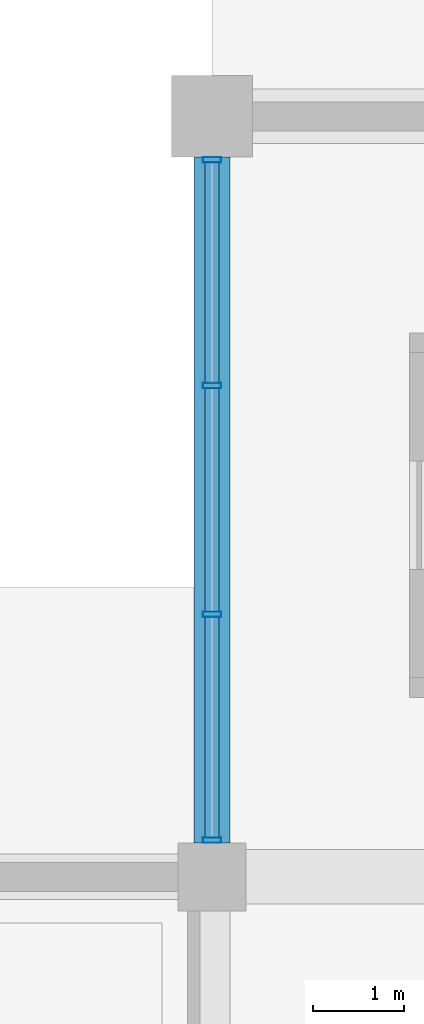
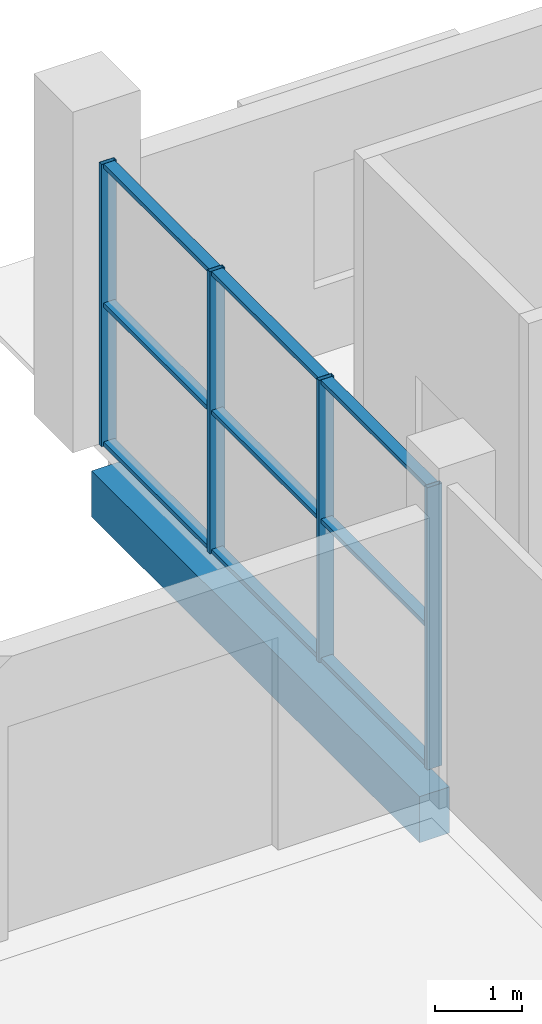
# One storey, part 38 of 130: 13 members, 1 beam, 1 element without a shape of its own.
"""IFC4 building model written with IfcOpenShell, lengths in metres."""

from ifc_helpers import new_model, si_unit, direction, frame, origin, origin_2d, place, context, subcontext, project, spatial, rectangle, hollow_rectangle, extrude, material, material_profile, profile_set, type_object, element, aggregate, save


model = new_model("IFC4")

# Units and contexts
model_context = context("Model", 3, precision=1e-05, world=origin(), true_north=direction((0.0, 1.0)))
body_context = subcontext(model_context, "Body", "Model", "MODEL_VIEW")
ifc_project = project(units=[si_unit("LENGTHUNIT", "METRE"), si_unit("AREAUNIT", "SQUARE_METRE"), si_unit("VOLUMEUNIT", "CUBIC_METRE"), si_unit("PLANEANGLEUNIT", "RADIAN"), si_unit("MASSUNIT", "GRAM", prefix="KILO"), si_unit("THERMODYNAMICTEMPERATUREUNIT", "KELVIN")], contexts=[model_context])

# Site, building, storey
site_placement = place(None, origin())
site = spatial("IfcSite", under=ifc_project, at=site_placement, CompositionType="ELEMENT")
building_placement = place(site_placement, origin())
building = spatial("IfcBuilding", under=site, at=building_placement, Name="Nduvali Passage Aquatics Centre", CompositionType="ELEMENT")
storey_placement = place(building_placement, origin())
storey = spatial("IfcBuildingStorey", under=building, at=storey_placement, Name="L00", CompositionType="ELEMENT", Elevation=0.0)

# Curtain wall, members
ifc_material_1 = material(Name="Aluminium EN AW-6063 T6", Category="aluminium")
curtain_wall_type = type_object("IfcCurtainWallType", Name="ENV-CW-HALL", PredefinedType="NOTDEFINED", material=ifc_material_1)
curtain_wall_placement = place(storey_placement, origin())
curtain_wall = element("IfcCurtainWall", 1, at=curtain_wall_placement, inside=storey, type_object=curtain_wall_type, Name="L00 West Pool Hall Lower Glazing 011", PredefinedType="NOTDEFINED")
ifc_material_profile_1 = material_profile(ifc_material_1, hollow_rectangle(XDim=0.06005859375, YDim=0.199951171875, WallThickness=0.00390625, at=origin_2d()), Name="ALU MULLION 60x200x4")
ifc_profile_set_1 = profile_set([ifc_material_profile_1], Name="Aluminium EN AW-6063 T6")
member_type_1 = type_object("IfcMemberType", Name="ENV-MEM-MUL80", PredefinedType="MULLION", material=ifc_profile_set_1)
member_1_placement = place(storey_placement, frame((25.199951171875, 84.405029296875, 0.0), z_axis=(0.0, 0.0, 1.0), x_axis=(0.0, 1.0, 0.0)))
member_1 = element("IfcMember", 2, at=member_1_placement, type_object=member_type_1, Name="West Pool Hall Lower Glazing Mullion 1", PredefinedType="MULLION", context=body_context, shape_type="SweptSolid", body=[
    extrude(hollow_rectangle(XDim=0.06005859375, YDim=0.199951171875, WallThickness=0.00390625, at=origin_2d()), origin(), (0.0, 0.0, 1.0), 3.976318359375),
])
member_2_placement = place(storey_placement, frame((25.199951171875, 86.89990234375, 0.0), z_axis=(0.0, 0.0, 1.0), x_axis=(0.0, 1.0, 0.0)))
member_2 = element("IfcMember", 3, at=member_2_placement, type_object=member_type_1, Name="West Pool Hall Lower Glazing Mullion 2", PredefinedType="MULLION", context=body_context, shape_type="SweptSolid", body=[
    extrude(hollow_rectangle(XDim=0.06005859375, YDim=0.199951171875, WallThickness=0.00390625, at=origin_2d()), origin(), (0.0, 0.0, 1.0), 3.976318359375),
])
member_3_placement = place(storey_placement, frame((25.199951171875, 89.425048828125, 0.0), z_axis=(0.0, 0.0, 1.0), x_axis=(0.0, 1.0, 0.0)))
member_3 = element("IfcMember", 4, at=member_3_placement, type_object=member_type_1, Name="West Pool Hall Lower Glazing Mullion 3", PredefinedType="MULLION", context=body_context, shape_type="SweptSolid", body=[
    extrude(hollow_rectangle(XDim=0.06005859375, YDim=0.199951171875, WallThickness=0.00390625, at=origin_2d()), origin(), (0.0, 0.0, 1.0), 3.976318359375),
])
member_4_placement = place(storey_placement, frame((25.199951171875, 91.919921875, 0.0), z_axis=(0.0, 0.0, 1.0), x_axis=(0.0, 1.0, 0.0)))
member_4 = element("IfcMember", 5, at=member_4_placement, type_object=member_type_1, Name="West Pool Hall Lower Glazing Mullion 4", PredefinedType="MULLION", context=body_context, shape_type="SweptSolid", body=[
    extrude(hollow_rectangle(XDim=0.06005859375, YDim=0.199951171875, WallThickness=0.00390625, at=origin_2d()), origin(), (0.0, 0.0, 1.0), 3.976318359375),
])
ifc_material_profile_2 = material_profile(ifc_material_1, hollow_rectangle(XDim=0.14990234375, YDim=0.06005859375, WallThickness=0.00390625, at=origin_2d()), Name="ALU TRANSOM 150x60x4")
ifc_profile_set_2 = profile_set([ifc_material_profile_2], Name="Aluminium EN AW-6063 T6")
member_type_2 = type_object("IfcMemberType", Name="ENV-MEM-TRN80", PredefinedType="USERDEFINED", material=ifc_profile_set_2)
member_5_placement = place(storey_placement, frame((25.199951171875, 84.43505859375, 0.030029296875), z_axis=(0.0, 1.0, 0.0), x_axis=(-1.0, 0.0, 0.0)))
member_5 = element("IfcMember", 6, at=member_5_placement, type_object=member_type_2, Name="West Pool Hall Lower Glazing Transom B1-R0", ObjectType="TRANSOM", PredefinedType="USERDEFINED", context=body_context, shape_type="SweptSolid", body=[
    extrude(hollow_rectangle(XDim=0.14990234375, YDim=0.06005859375, WallThickness=0.00390625, at=origin_2d()), origin(), (0.0, 0.0, 1.0), 2.43505859375),
])
member_6_placement = place(storey_placement, frame((25.199951171875, 84.43505859375, 1.98828125), z_axis=(0.0, 1.0, 0.0), x_axis=(-1.0, 0.0, 0.0)))
member_6 = element("IfcMember", 7, at=member_6_placement, type_object=member_type_2, Name="West Pool Hall Lower Glazing Transom B1-R1", ObjectType="TRANSOM", PredefinedType="USERDEFINED", context=body_context, shape_type="SweptSolid", body=[
    extrude(hollow_rectangle(XDim=0.14990234375, YDim=0.06005859375, WallThickness=0.00390625, at=origin_2d()), origin(), (0.0, 0.0, 1.0), 2.43505859375),
])
member_7_placement = place(storey_placement, frame((25.199951171875, 84.43505859375, 3.9462890625), z_axis=(0.0, 1.0, 0.0), x_axis=(-1.0, 0.0, 0.0)))
member_7 = element("IfcMember", 8, at=member_7_placement, type_object=member_type_2, Name="West Pool Hall Lower Glazing Transom B1-R2", ObjectType="TRANSOM", PredefinedType="USERDEFINED", context=body_context, shape_type="SweptSolid", body=[
    extrude(hollow_rectangle(XDim=0.14990234375, YDim=0.06005859375, WallThickness=0.00390625, at=origin_2d()), origin(), (0.0, 0.0, 1.0), 2.43505859375),
])
member_8_placement = place(storey_placement, frame((25.199951171875, 86.929931640625, 0.030029296875), z_axis=(0.0, 1.0, 0.0), x_axis=(-1.0, 0.0, 0.0)))
member_8 = element("IfcMember", 9, at=member_8_placement, type_object=member_type_2, Name="West Pool Hall Lower Glazing Transom B2-R0", ObjectType="TRANSOM", PredefinedType="USERDEFINED", context=body_context, shape_type="SweptSolid", body=[
    extrude(hollow_rectangle(XDim=0.14990234375, YDim=0.06005859375, WallThickness=0.00390625, at=origin_2d()), origin(), (0.0, 0.0, 1.0), 2.465087890625),
])
member_9_placement = place(storey_placement, frame((25.199951171875, 86.929931640625, 1.98828125), z_axis=(0.0, 1.0, 0.0), x_axis=(-1.0, 0.0, 0.0)))
member_9 = element("IfcMember", 10, at=member_9_placement, type_object=member_type_2, Name="West Pool Hall Lower Glazing Transom B2-R1", ObjectType="TRANSOM", PredefinedType="USERDEFINED", context=body_context, shape_type="SweptSolid", body=[
    extrude(hollow_rectangle(XDim=0.14990234375, YDim=0.06005859375, WallThickness=0.00390625, at=origin_2d()), origin(), (0.0, 0.0, 1.0), 2.465087890625),
])
member_10_placement = place(storey_placement, frame((25.199951171875, 86.929931640625, 3.9462890625), z_axis=(0.0, 1.0, 0.0), x_axis=(-1.0, 0.0, 0.0)))
member_10 = element("IfcMember", 11, at=member_10_placement, type_object=member_type_2, Name="West Pool Hall Lower Glazing Transom B2-R2", ObjectType="TRANSOM", PredefinedType="USERDEFINED", context=body_context, shape_type="SweptSolid", body=[
    extrude(hollow_rectangle(XDim=0.14990234375, YDim=0.06005859375, WallThickness=0.00390625, at=origin_2d()), origin(), (0.0, 0.0, 1.0), 2.465087890625),
])
member_11_placement = place(storey_placement, frame((25.199951171875, 89.455078125, 0.030029296875), z_axis=(0.0, 1.0, 0.0), x_axis=(-1.0, 0.0, 0.0)))
member_11 = element("IfcMember", 12, at=member_11_placement, type_object=member_type_2, Name="West Pool Hall Lower Glazing Transom B3-R0", ObjectType="TRANSOM", PredefinedType="USERDEFINED", context=body_context, shape_type="SweptSolid", body=[
    extrude(hollow_rectangle(XDim=0.14990234375, YDim=0.06005859375, WallThickness=0.00390625, at=origin_2d()), origin(), (0.0, 0.0, 1.0), 2.434814453125),
])
member_12_placement = place(storey_placement, frame((25.199951171875, 89.455078125, 1.98828125), z_axis=(0.0, 1.0, 0.0), x_axis=(-1.0, 0.0, 0.0)))
member_12 = element("IfcMember", 13, at=member_12_placement, type_object=member_type_2, Name="West Pool Hall Lower Glazing Transom B3-R1", ObjectType="TRANSOM", PredefinedType="USERDEFINED", context=body_context, shape_type="SweptSolid", body=[
    extrude(hollow_rectangle(XDim=0.14990234375, YDim=0.06005859375, WallThickness=0.00390625, at=origin_2d()), origin(), (0.0, 0.0, 1.0), 2.434814453125),
])
member_13_placement = place(storey_placement, frame((25.199951171875, 89.455078125, 3.9462890625), z_axis=(0.0, 1.0, 0.0), x_axis=(-1.0, 0.0, 0.0)))
member_13 = element("IfcMember", 14, at=member_13_placement, type_object=member_type_2, Name="West Pool Hall Lower Glazing Transom B3-R2", ObjectType="TRANSOM", PredefinedType="USERDEFINED", context=body_context, shape_type="SweptSolid", body=[
    extrude(hollow_rectangle(XDim=0.14990234375, YDim=0.06005859375, WallThickness=0.00390625, at=origin_2d()), origin(), (0.0, 0.0, 1.0), 2.434814453125),
])
aggregate(curtain_wall, [member_1, member_2, member_3, member_4, member_5, member_6, member_7, member_8, member_9, member_10, member_11, member_12, member_13])

# Beam
ifc_material_2 = material(Name="Concrete C40/50", Category="concrete")
ifc_material_profile_3 = material_profile(ifc_material_2, rectangle(XDim=0.39990234375, YDim=0.64990234375, at=origin_2d()), Name="RC 400x650")
ifc_profile_set_3 = profile_set([ifc_material_profile_3], Name="Concrete C40/50")
beam_type = type_object("IfcBeamType", Name="STR-SPN-RC4065-EXT", PredefinedType="SPANDREL", material=ifc_profile_set_3)
beam_placement = place(storey_placement, frame((25.199951171875, 84.375, -0.6650390625), z_axis=(0.0, 1.0, 0.0), x_axis=(-1.0, 0.0, 0.0)))
element("IfcBeam", 15, at=beam_placement, inside=storey, type_object=beam_type, Name="L00 Primary Y-Girder SP1E-0130", PredefinedType="SPANDREL", context=body_context, shape_type="SweptSolid", body=[
    extrude(rectangle(XDim=0.39990234375, YDim=0.64990234375, at=origin_2d()), origin(), (0.0, 0.0, 1.0), 7.574951171875),
])

save(model, "model.ifc")
